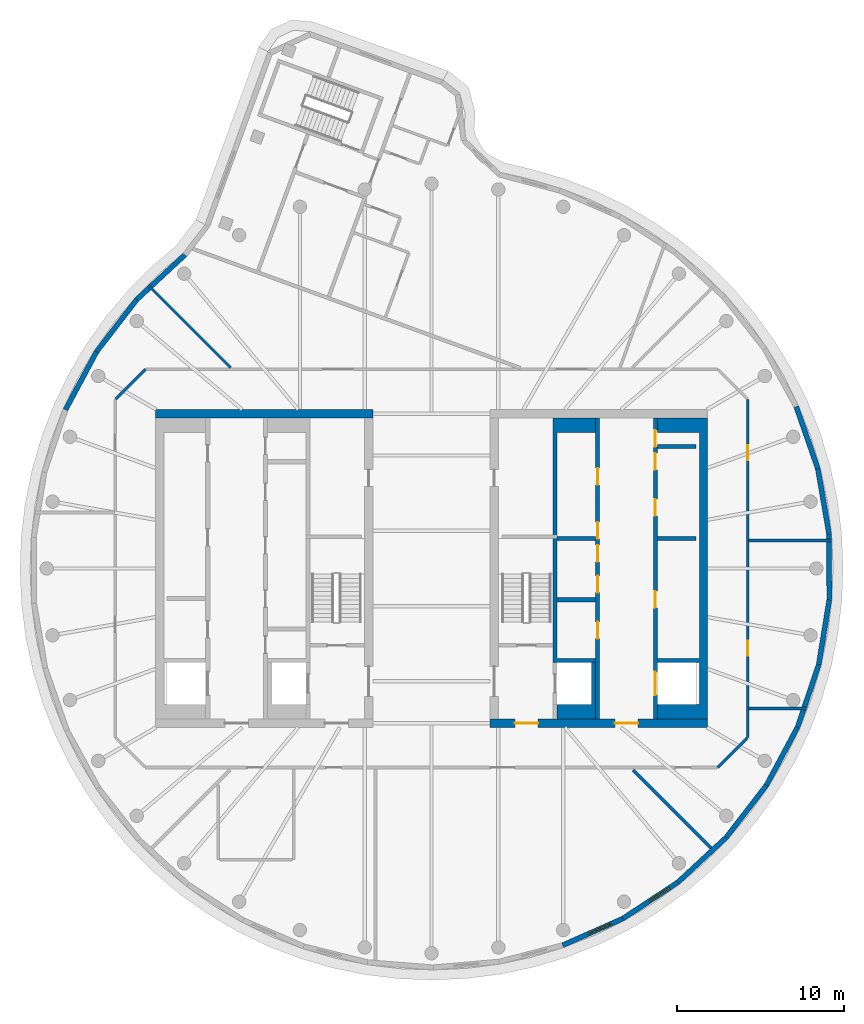
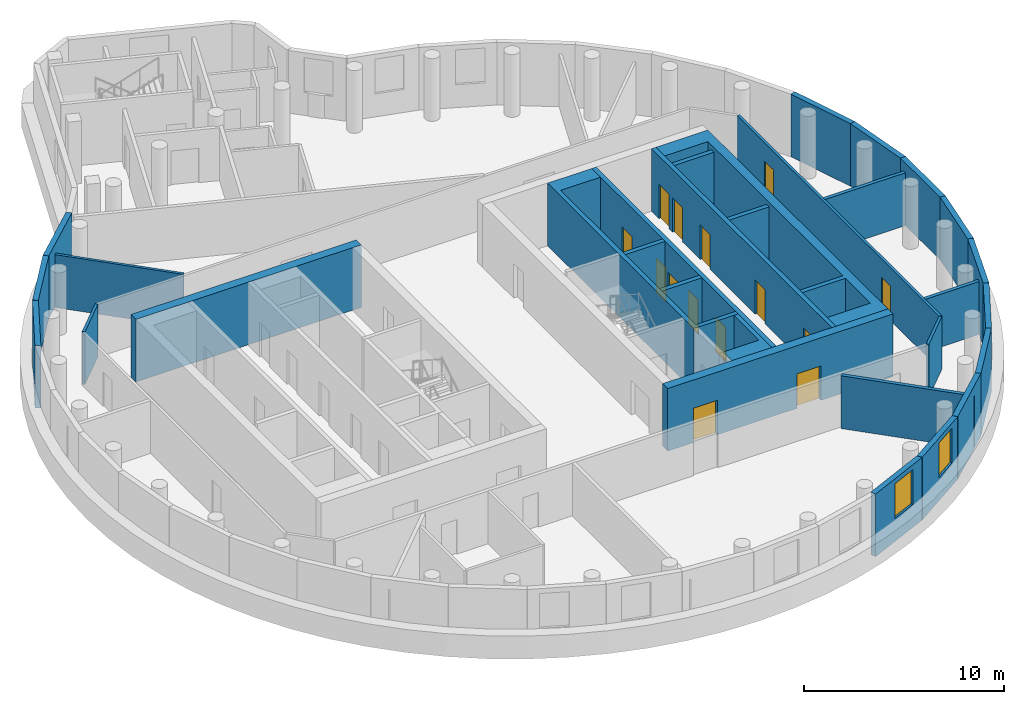
# One storey, part 4 of 7: 31 walls, 14 doors, 2 windows, 16 openings.
"""IFC4 building model written with IfcOpenShell, lengths in metres."""

from ifc_helpers import new_model, si_unit, direction, frame, frame_2d, origin, place, context, subcontext, project, spatial, polyline, rectangle, outline, extrude, material, layer, layer_set, type_object, element, fill, save


model = new_model("IFC4")

# Units and contexts
model_context = context("Model", 3, precision=1e-05, world=origin(), true_north=direction((0.0, 1.0)))
body_context = subcontext(model_context, "Body", "Model", "MODEL_VIEW")
ifc_project = project(units=[si_unit("LENGTHUNIT", "METRE"), si_unit("AREAUNIT", "SQUARE_METRE"), si_unit("VOLUMEUNIT", "CUBIC_METRE"), si_unit("PLANEANGLEUNIT", "RADIAN"), si_unit("MASSUNIT", "GRAM", prefix="KILO")], contexts=[model_context])

# Site, building, storey
site_placement = place(None, origin())
site = spatial("IfcSite", under=ifc_project, at=site_placement, CompositionType="ELEMENT")
building_placement = place(site_placement, origin())
building = spatial("IfcBuilding", under=site, at=building_placement, Name="Tamarind Cross Interchange Tower", CompositionType="ELEMENT")
storey_placement = place(building_placement, frame((0.0, 0.0, 321.39990234375)))
storey = spatial("IfcBuildingStorey", under=building, at=storey_placement, Name="L79", CompositionType="ELEMENT", Elevation=321.39990234375)

# Wall
ifc_material_1 = material(Name="Concrete C50", Category="concrete")
ifc_layer_1 = layer(ifc_material_1, 0.5)
ifc_layer_set_1 = layer_set([ifc_layer_1], Name="Concrete C50")
wall_type_1 = type_object("IfcWallType", Name="Core wall 500 mm Concrete C50", PredefinedType="SHEAR", material=ifc_layer_set_1)
wall_1_placement = place(storey_placement, frame((-16.5, 9.25, 0.0), z_axis=(0.0, 0.0, 1.0), x_axis=(1.0, 0.0, 0.0)))
element("IfcWall", 1, at=wall_1_placement, inside=storey, type_object=wall_type_1, Name="Core wall CWL-L79-W-NE", PredefinedType="SHEAR", context=body_context, shape_type="SweptSolid", body=[
    extrude(rectangle(XDim=13.0, YDim=0.5, at=frame_2d((6.5, 0.0))), origin(), (0.0, 0.0, 1.0), 3.820068359375),
])

# Wall, openings, doors
wall_2_placement = place(storey_placement, frame((16.5, -9.25, 0.0), z_axis=(0.0, 0.0, 1.0), x_axis=(-1.0, 0.0, 0.0)))
wall_2 = element("IfcWall", 2, at=wall_2_placement, inside=storey, type_object=wall_type_1, Name="Core wall CWL-L79-E-S", PredefinedType="SHEAR", context=body_context, shape_type="SweptSolid", body=[
    extrude(rectangle(XDim=13.0, YDim=0.5, at=frame_2d((6.5, 0.0))), origin(), (0.0, 0.0, 1.0), 3.820068359375),
])
opening_1_placement = place(wall_2_placement, frame((4.14990234375, 0.0, 0.0)))
opening_1 = element("IfcOpeningElement", 3, at=opening_1_placement, cuts=wall_2, Name="Opening DCE1", PredefinedType="OPENING", context=body_context, shape_type="SweptSolid", body=[
    extrude(rectangle(XDim=1.39990234375, YDim=2.10009765625, at=frame_2d((0.699951171875, 1.050048828125))), frame((0.0, 0.260009765625, 0.0), z_axis=(0.0, -1.0, 0.0), x_axis=(1.0, 0.0, 0.0)), (0.0, 0.0, 1.0), 0.52001953125),
])
opening_2_placement = place(wall_2_placement, frame((10.125, 0.0, 0.0)))
opening_2 = element("IfcOpeningElement", 4, at=opening_2_placement, cuts=wall_2, Name="Opening DCEF", PredefinedType="OPENING", context=body_context, shape_type="SweptSolid", body=[
    extrude(rectangle(XDim=1.39990234375, YDim=2.10009765625, at=frame_2d((0.699951171875, 1.050048828125))), frame((0.0, 0.260009765625, 0.0), z_axis=(0.0, -1.0, 0.0), x_axis=(1.0, 0.0, 0.0)), (0.0, 0.0, 1.0), 0.52001953125),
])
ifc_material_2 = material(Name="Steel, fire-resisting", Category="steel")
door_type_1 = type_object("IfcDoorType", Name="Core fire door 1400 x 2100 FD90", OperationType="SINGLE_SWING_LEFT", PredefinedType="DOOR", material=ifc_material_2)
door_1_placement = place(opening_1_placement, origin())
door_1 = element("IfcDoor", 5, at=door_1_placement, inside=storey, type_object=door_type_1, Name="L79 lift lobby door", OperationType="SINGLE_SWING_LEFT", OverallHeight=2.10009765625, OverallWidth=1.39990234375, PredefinedType="DOOR", context=body_context, shape_type="SweptSolid", body=[
    extrude(rectangle(XDim=1.39990234375, YDim=2.10009765625, at=frame_2d((0.699951171875, 1.050048828125))), frame((0.0, 0.02490234375, 0.0), z_axis=(0.0, -1.0, 0.0), x_axis=(1.0, 0.0, 0.0)), (0.0, 0.0, 1.0), 0.050048828125),
])
fill(opening_1, door_1)
door_2_placement = place(opening_2_placement, origin())
door_2 = element("IfcDoor", 6, at=door_2_placement, inside=storey, type_object=door_type_1, Name="L79 firefighting lobby end door", OperationType="SINGLE_SWING_LEFT", OverallHeight=2.10009765625, OverallWidth=1.39990234375, PredefinedType="DOOR", context=body_context, shape_type="SweptSolid", body=[
    extrude(rectangle(XDim=1.39990234375, YDim=2.10009765625, at=frame_2d((0.699951171875, 1.050048828125))), frame((0.0, 0.02490234375, 0.0), z_axis=(0.0, -1.0, 0.0), x_axis=(1.0, 0.0, 0.0)), (0.0, 0.0, 1.0), 0.050048828125),
])
fill(opening_2, door_2)

# Walls
wall_3_placement = place(storey_placement, origin())
element("IfcWall", 7, at=wall_3_placement, inside=storey, type_object=wall_type_1, Name="Core wall CWL-L79-E-A", PredefinedType="SHEAR", context=body_context, shape_type="SweptSolid", body=[
    extrude(outline(polyline([(13.5, -8.125), (13.5, -9.0), (16.0, -9.0), (16.5, -9.0), (16.5, 9.0), (16.0, 9.0), (13.5, 9.0), (13.5, 8.125), (16.0, 8.125), (16.0, -5.375), (13.5, -5.375), (13.5, -5.625), (16.0, -5.625), (16.0, -8.125), (13.5, -8.125)])), origin(), (0.0, 0.0, 1.0), 3.820068359375),
])
ifc_layer_2 = layer(ifc_material_1, 0.25)
ifc_layer_set_2 = layer_set([ifc_layer_2], Name="Concrete C50")
wall_type_2 = type_object("IfcWallType", Name="Core web wall 250 mm Concrete C50", PredefinedType="SHEAR", material=ifc_layer_set_2)
wall_4_placement = place(storey_placement, origin())
element("IfcWall", 8, at=wall_4_placement, inside=storey, type_object=wall_type_2, Name="Core wall CWL-L79-E-BN", PredefinedType="SHEAR", context=body_context, shape_type="SweptSolid", body=[
    extrude(outline(polyline([(9.800048828125, -5.625), (9.800048828125, -5.375), (7.5, -5.375), (7.5, 8.125), (9.800048828125, 8.125), (9.800048828125, 9.0), (7.5, 9.0), (7.25, 9.0), (7.25, -5.625), (7.5, -5.625), (9.800048828125, -5.625)])), origin(), (0.0, 0.0, 1.0), 3.820068359375),
])
wall_5_placement = place(storey_placement, origin())
element("IfcWall", 9, at=wall_5_placement, inside=storey, type_object=wall_type_2, Name="Core wall CWL-L79-E-BS", PredefinedType="SHEAR", context=body_context, shape_type="SweptSolid", body=[
    extrude(outline(polyline([(7.5, -8.125), (7.5, -9.0), (9.800048828125, -9.0), (9.800048828125, -8.125), (9.800048828125, -5.625), (9.550048828125, -5.625), (9.550048828125, -8.125), (7.5, -8.125)])), origin(), (0.0, 0.0, 1.0), 3.820068359375),
])

# Wall, openings, doors
wall_6_placement = place(storey_placement, frame((13.375, -9.0, 0.0), z_axis=(0.0, 0.0, 1.0), x_axis=(0.0, 1.0, 0.0)))
wall_6 = element("IfcWall", 10, at=wall_6_placement, inside=storey, type_object=wall_type_2, Name="Core wall CWL-L79-E-LA", PredefinedType="SHEAR", context=body_context, shape_type="SweptSolid", body=[
    extrude(rectangle(XDim=18.0, YDim=0.25, at=frame_2d((9.0, 0.0))), origin(), (0.0, 0.0, 1.0), 3.820068359375),
])
opening_3_placement = place(wall_6_placement, frame((1.425048828125, 0.0, 0.0)))
opening_3 = element("IfcOpeningElement", 11, at=opening_3_placement, cuts=wall_6, Name="Opening LD13L79", PredefinedType="OPENING", context=body_context, shape_type="SweptSolid", body=[
    extrude(rectangle(XDim=1.39990234375, YDim=2.10009765625, at=frame_2d((0.699951171875, 1.050048828125))), frame((0.0, 0.135009765625, 0.0), z_axis=(0.0, -1.0, 0.0), x_axis=(1.0, 0.0, 0.0)), (0.0, 0.0, 1.0), 0.27001953125),
])
opening_4_placement = place(wall_6_placement, frame((6.64599609375, 0.0, 0.0)))
opening_4 = element("IfcOpeningElement", 12, at=opening_4_placement, cuts=wall_6, Name="Opening DCE9", PredefinedType="OPENING", context=body_context, shape_type="SweptSolid", body=[
    extrude(rectangle(XDim=1.0, YDim=2.10009765625, at=frame_2d((0.5, 1.050048828125))), frame((0.0, 0.135009765625, 0.0), z_axis=(0.0, -1.0, 0.0), x_axis=(1.0, 0.0, 0.0)), (0.0, 0.0, 1.0), 0.27001953125),
])
opening_5_placement = place(wall_6_placement, frame((12.14599609375, 0.0, 0.0)))
opening_5 = element("IfcOpeningElement", 13, at=opening_5_placement, cuts=wall_6, Name="Opening DCE10", PredefinedType="OPENING", context=body_context, shape_type="SweptSolid", body=[
    extrude(rectangle(XDim=1.0, YDim=2.10009765625, at=frame_2d((0.5, 1.050048828125))), frame((0.0, 0.135009765625, 0.0), z_axis=(0.0, -1.0, 0.0), x_axis=(1.0, 0.0, 0.0)), (0.0, 0.0, 1.0), 0.27001953125),
])
opening_6_placement = place(wall_6_placement, frame((14.89599609375, 0.0, 0.0)))
opening_6 = element("IfcOpeningElement", 14, at=opening_6_placement, cuts=wall_6, Name="Opening DCE17", PredefinedType="OPENING", context=body_context, shape_type="SweptSolid", body=[
    extrude(rectangle(XDim=1.0, YDim=2.10009765625, at=frame_2d((0.5, 1.050048828125))), frame((0.0, 0.135009765625, 0.0), z_axis=(0.0, -1.0, 0.0), x_axis=(1.0, 0.0, 0.0)), (0.0, 0.0, 1.0), 0.27001953125),
])
opening_7_placement = place(wall_6_placement, frame((16.27099609375, 0.0, 0.0)))
opening_7 = element("IfcOpeningElement", 15, at=opening_7_placement, cuts=wall_6, Name="Opening DCE18", PredefinedType="OPENING", context=body_context, shape_type="SweptSolid", body=[
    extrude(rectangle(XDim=1.0, YDim=2.10009765625, at=frame_2d((0.5, 1.050048828125))), frame((0.0, 0.135009765625, 0.0), z_axis=(0.0, -1.0, 0.0), x_axis=(1.0, 0.0, 0.0)), (0.0, 0.0, 1.0), 0.27001953125),
])
door_type_2 = type_object("IfcDoorType", Name="Core fire door 1000 x 2100 FD90", OperationType="SINGLE_SWING_LEFT", PredefinedType="DOOR", material=ifc_material_2)
door_3_placement = place(opening_4_placement, origin())
door_3 = element("IfcDoor", 16, at=door_3_placement, inside=storey, type_object=door_type_2, Name="L79 Battery room door", OperationType="SINGLE_SWING_LEFT", OverallHeight=2.10009765625, OverallWidth=1.0, PredefinedType="DOOR", context=body_context, shape_type="SweptSolid", body=[
    extrude(rectangle(XDim=1.0, YDim=2.10009765625, at=frame_2d((0.5, 1.050048828125))), frame((0.0, 0.02490234375, 0.0), z_axis=(0.0, -1.0, 0.0), x_axis=(1.0, 0.0, 0.0)), (0.0, 0.0, 1.0), 0.050048828125),
])
fill(opening_4, door_3)
door_4_placement = place(opening_5_placement, origin())
door_4 = element("IfcDoor", 17, at=door_4_placement, inside=storey, type_object=door_type_2, Name="L79 Switch room door", OperationType="SINGLE_SWING_LEFT", OverallHeight=2.10009765625, OverallWidth=1.0, PredefinedType="DOOR", context=body_context, shape_type="SweptSolid", body=[
    extrude(rectangle(XDim=1.0, YDim=2.10009765625, at=frame_2d((0.5, 1.050048828125))), frame((0.0, 0.02490234375, 0.0), z_axis=(0.0, -1.0, 0.0), x_axis=(1.0, 0.0, 0.0)), (0.0, 0.0, 1.0), 0.050048828125),
])
fill(opening_5, door_4)
door_5_placement = place(opening_6_placement, origin())
door_5 = element("IfcDoor", 18, at=door_5_placement, inside=storey, type_object=door_type_2, Name="L79 Storage room door", OperationType="SINGLE_SWING_LEFT", OverallHeight=2.10009765625, OverallWidth=1.0, PredefinedType="DOOR", context=body_context, shape_type="SweptSolid", body=[
    extrude(rectangle(XDim=1.0, YDim=2.10009765625, at=frame_2d((0.5, 1.050048828125))), frame((0.0, 0.02490234375, 0.0), z_axis=(0.0, -1.0, 0.0), x_axis=(1.0, 0.0, 0.0)), (0.0, 0.0, 1.0), 0.050048828125),
])
fill(opening_6, door_5)
door_6_placement = place(opening_7_placement, origin())
door_6 = element("IfcDoor", 19, at=door_6_placement, inside=storey, type_object=door_type_2, Name="L79 Battery room door", OperationType="SINGLE_SWING_LEFT", OverallHeight=2.10009765625, OverallWidth=1.0, PredefinedType="DOOR", context=body_context, shape_type="SweptSolid", body=[
    extrude(rectangle(XDim=1.0, YDim=2.10009765625, at=frame_2d((0.5, 1.050048828125))), frame((0.0, 0.02490234375, 0.0), z_axis=(0.0, -1.0, 0.0), x_axis=(1.0, 0.0, 0.0)), (0.0, 0.0, 1.0), 0.050048828125),
])
fill(opening_7, door_6)
ifc_material_3 = material(Name="Stainless steel panel", Category="steel")
door_type_3 = type_object("IfcDoorType", Name="Lift landing door 1400 x 2100 E 120", OperationType="SLIDING_TO_LEFT", PredefinedType="DOOR", material=ifc_material_3)
door_7_placement = place(opening_3_placement, origin())
door_7 = element("IfcDoor", 20, at=door_7_placement, inside=storey, type_object=door_type_3, Name="L79 landing door LF13", OperationType="SLIDING_TO_LEFT", OverallHeight=2.10009765625, OverallWidth=1.39990234375, PredefinedType="DOOR", context=body_context, shape_type="SweptSolid", body=[
    extrude(rectangle(XDim=1.39990234375, YDim=2.10009765625, at=frame_2d((0.699951171875, 1.050048828125))), frame((0.0, 0.02490234375, 0.0), z_axis=(0.0, -1.0, 0.0), x_axis=(1.0, 0.0, 0.0)), (0.0, 0.0, 1.0), 0.050048828125),
])
fill(opening_3, door_7)

wall_7_placement = place(storey_placement, frame((9.925048828125, -9.0, 0.0), z_axis=(0.0, 0.0, 1.0), x_axis=(0.0, 1.0, 0.0)))
wall_7 = element("IfcWall", 21, at=wall_7_placement, inside=storey, type_object=wall_type_2, Name="Core wall CWL-L79-E-LB", PredefinedType="SHEAR", context=body_context, shape_type="SweptSolid", body=[
    extrude(rectangle(XDim=18.0, YDim=0.25, at=frame_2d((9.0, 0.0))), origin(), (0.0, 0.0, 1.0), 3.820068359375),
])
opening_8_placement = place(wall_7_placement, frame((4.8125, 0.0, 0.0)))
opening_8 = element("IfcOpeningElement", 22, at=opening_8_placement, cuts=wall_7, Name="Opening DCE21", PredefinedType="OPENING", context=body_context, shape_type="SweptSolid", body=[
    extrude(rectangle(XDim=1.0, YDim=2.10009765625, at=frame_2d((0.5, 1.050048828125))), frame((0.0, 0.135009765625, 0.0), z_axis=(0.0, -1.0, 0.0), x_axis=(1.0, 0.0, 0.0)), (0.0, 0.0, 1.0), 0.27001953125),
])
opening_9_placement = place(wall_7_placement, frame((7.5625, 0.0, 0.0)))
opening_9 = element("IfcOpeningElement", 23, at=opening_9_placement, cuts=wall_7, Name="Opening DCE22", PredefinedType="OPENING", context=body_context, shape_type="SweptSolid", body=[
    extrude(rectangle(XDim=1.0, YDim=2.10009765625, at=frame_2d((0.5, 1.050048828125))), frame((0.0, 0.135009765625, 0.0), z_axis=(0.0, -1.0, 0.0), x_axis=(1.0, 0.0, 0.0)), (0.0, 0.0, 1.0), 0.27001953125),
])
opening_10_placement = place(wall_7_placement, frame((9.39599609375, 0.0, 0.0)))
opening_10 = element("IfcOpeningElement", 24, at=opening_10_placement, cuts=wall_7, Name="Opening DCE21", PredefinedType="OPENING", context=body_context, shape_type="SweptSolid", body=[
    extrude(rectangle(XDim=1.0, YDim=2.10009765625, at=frame_2d((0.5, 1.050048828125))), frame((0.0, 0.135009765625, 0.0), z_axis=(0.0, -1.0, 0.0), x_axis=(1.0, 0.0, 0.0)), (0.0, 0.0, 1.0), 0.27001953125),
])
opening_11_placement = place(wall_7_placement, frame((10.77099609375, 0.0, 0.0)))
opening_11 = element("IfcOpeningElement", 25, at=opening_11_placement, cuts=wall_7, Name="Opening DCE22", PredefinedType="OPENING", context=body_context, shape_type="SweptSolid", body=[
    extrude(rectangle(XDim=1.0, YDim=2.10009765625, at=frame_2d((0.5, 1.050048828125))), frame((0.0, 0.135009765625, 0.0), z_axis=(0.0, -1.0, 0.0), x_axis=(1.0, 0.0, 0.0)), (0.0, 0.0, 1.0), 0.27001953125),
])
opening_12_placement = place(wall_7_placement, frame((14.0, 0.0, 0.0)))
opening_12 = element("IfcOpeningElement", 26, at=opening_12_placement, cuts=wall_7, Name="Opening DCE21", PredefinedType="OPENING", context=body_context, shape_type="SweptSolid", body=[
    extrude(rectangle(XDim=1.0, YDim=2.10009765625, at=frame_2d((0.5, 1.050048828125))), frame((0.0, 0.135009765625, 0.0), z_axis=(0.0, -1.0, 0.0), x_axis=(1.0, 0.0, 0.0)), (0.0, 0.0, 1.0), 0.27001953125),
])
door_8_placement = place(opening_8_placement, origin())
door_8 = element("IfcDoor", 27, at=door_8_placement, inside=storey, type_object=door_type_2, Name="L79 Pump room door", OperationType="SINGLE_SWING_LEFT", OverallHeight=2.10009765625, OverallWidth=1.0, PredefinedType="DOOR", context=body_context, shape_type="SweptSolid", body=[
    extrude(rectangle(XDim=1.0, YDim=2.10009765625, at=frame_2d((0.5, 1.050048828125))), frame((0.0, 0.02490234375, 0.0), z_axis=(0.0, -1.0, 0.0), x_axis=(1.0, 0.0, 0.0)), (0.0, 0.0, 1.0), 0.050048828125),
])
fill(opening_8, door_8)
door_9_placement = place(opening_9_placement, origin())
door_9 = element("IfcDoor", 28, at=door_9_placement, inside=storey, type_object=door_type_2, Name="L79 Plant room door", OperationType="SINGLE_SWING_LEFT", OverallHeight=2.10009765625, OverallWidth=1.0, PredefinedType="DOOR", context=body_context, shape_type="SweptSolid", body=[
    extrude(rectangle(XDim=1.0, YDim=2.10009765625, at=frame_2d((0.5, 1.050048828125))), frame((0.0, 0.02490234375, 0.0), z_axis=(0.0, -1.0, 0.0), x_axis=(1.0, 0.0, 0.0)), (0.0, 0.0, 1.0), 0.050048828125),
])
fill(opening_9, door_9)
door_10_placement = place(opening_10_placement, origin())
door_10 = element("IfcDoor", 29, at=door_10_placement, inside=storey, type_object=door_type_2, Name="L79 Plant room door", OperationType="SINGLE_SWING_LEFT", OverallHeight=2.10009765625, OverallWidth=1.0, PredefinedType="DOOR", context=body_context, shape_type="SweptSolid", body=[
    extrude(rectangle(XDim=1.0, YDim=2.10009765625, at=frame_2d((0.5, 1.050048828125))), frame((0.0, 0.02490234375, 0.0), z_axis=(0.0, -1.0, 0.0), x_axis=(1.0, 0.0, 0.0)), (0.0, 0.0, 1.0), 0.050048828125),
])
fill(opening_10, door_10)
door_11_placement = place(opening_11_placement, origin())
door_11 = element("IfcDoor", 30, at=door_11_placement, inside=storey, type_object=door_type_2, Name="L79 Storage room door", OperationType="SINGLE_SWING_LEFT", OverallHeight=2.10009765625, OverallWidth=1.0, PredefinedType="DOOR", context=body_context, shape_type="SweptSolid", body=[
    extrude(rectangle(XDim=1.0, YDim=2.10009765625, at=frame_2d((0.5, 1.050048828125))), frame((0.0, 0.02490234375, 0.0), z_axis=(0.0, -1.0, 0.0), x_axis=(1.0, 0.0, 0.0)), (0.0, 0.0, 1.0), 0.050048828125),
])
fill(opening_11, door_11)
door_12_placement = place(opening_12_placement, origin())
door_12 = element("IfcDoor", 31, at=door_12_placement, inside=storey, type_object=door_type_2, Name="L79 Switch room door", OperationType="SINGLE_SWING_LEFT", OverallHeight=2.10009765625, OverallWidth=1.0, PredefinedType="DOOR", context=body_context, shape_type="SweptSolid", body=[
    extrude(rectangle(XDim=1.0, YDim=2.10009765625, at=frame_2d((0.5, 1.050048828125))), frame((0.0, 0.02490234375, 0.0), z_axis=(0.0, -1.0, 0.0), x_axis=(1.0, 0.0, 0.0)), (0.0, 0.0, 1.0), 0.050048828125),
])
fill(opening_12, door_12)

# Walls
ifc_material_4 = material(Name="Gypsum board partition on steel studs", Category="steel")
ifc_layer_3 = layer(ifc_material_4, 0.14990234375)
ifc_layer_set_3 = layer_set([ifc_layer_3], Name="Gypsum board partition on steel studs")
wall_type_3 = type_object("IfcWallType", Name="Partition 150 mm EI 120", PredefinedType="PARTITIONING", material=ifc_layer_set_3)
wall_8_placement = place(storey_placement, frame((-16.921142578125, 16.921142578125, 0.0), z_axis=(0.0, 0.0, 1.0), x_axis=(0.707106781187, -0.707106781187, 0.0)))
element("IfcWall", 32, at=wall_8_placement, inside=storey, type_object=wall_type_3, Name="Partition L79-002", PredefinedType="PARTITIONING", context=body_context, shape_type="SweptSolid", body=[
    extrude(rectangle(XDim=6.946044921875, YDim=0.14990234375, at=frame_2d((3.47314453125, 0.0))), origin(), (0.0, 0.0, 1.0), 3.22021484375),
])
for number, where, z_axis, x_axis, name in (
    (33, (-18.87158203125, 10.12841796875, 0.0), (0.0, 0.0, 1.0), (0.707106781187, 0.707106781187, 0.0), "Partition L79-018"),
    (34, (17.10009765625, -11.89990234375, 0.0), (0.0, 0.0, 1.0), (0.707106781187, 0.707106781187, 0.0), "Partition L79-021"),
):
    element("IfcWall", number, at=place(storey_placement, frame(where, z_axis=z_axis, x_axis=x_axis)), inside=storey, type_object=wall_type_3, Name=name, PredefinedType="PARTITIONING", context=body_context, shape_type="SweptSolid", body=[
        extrude(rectangle(XDim=2.50537109375, YDim=0.14990234375, at=frame_2d((1.252685546875, 0.0))), origin(), (0.0, 0.0, 1.0), 3.22021484375),
    ])

# Wall, openings, doors
wall_9_placement = place(storey_placement, frame((18.89990234375, -10.10009765625, 0.0), z_axis=(0.0, 0.0, 1.0), x_axis=(0.0, 1.0, 0.0)))
wall_9 = element("IfcWall", 35, at=wall_9_placement, inside=storey, type_object=wall_type_3, Name="Partition L79-035", PredefinedType="PARTITIONING", context=body_context, shape_type="SweptSolid", body=[
    extrude(rectangle(XDim=20.2001953125, YDim=0.14990234375, at=frame_2d((10.10009765625, 0.0))), origin(), (0.0, 0.0, 1.0), 3.22021484375),
])
opening_13_placement = place(wall_9_placement, frame((4.87890625, 0.0, 0.0)))
opening_13 = element("IfcOpeningElement", 36, at=opening_13_placement, cuts=wall_9, Name="Opening D17", PredefinedType="OPENING", context=body_context, shape_type="SweptSolid", body=[
    extrude(rectangle(XDim=0.89990234375, YDim=2.10009765625, at=frame_2d((0.449951171875, 1.050048828125))), frame((0.0, 0.0849609375, 0.0), z_axis=(0.0, -1.0, 0.0), x_axis=(1.0, 0.0, 0.0)), (0.0, 0.0, 1.0), 0.169921875),
])
opening_14_placement = place(wall_9_placement, frame((16.573974609375, 0.0, 0.0)))
opening_14 = element("IfcOpeningElement", 37, at=opening_14_placement, cuts=wall_9, Name="Opening D18", PredefinedType="OPENING", context=body_context, shape_type="SweptSolid", body=[
    extrude(rectangle(XDim=0.89990234375, YDim=2.10009765625, at=frame_2d((0.449951171875, 1.050048828125))), frame((0.0, 0.0849609375, 0.0), z_axis=(0.0, -1.0, 0.0), x_axis=(1.0, 0.0, 0.0)), (0.0, 0.0, 1.0), 0.169921875),
])
ifc_material_5 = material(Name="Fire-resisting door set")
door_type_4 = type_object("IfcDoorType", Name="Interior door 900 x 2100 FD60S", OperationType="SINGLE_SWING_LEFT", PredefinedType="DOOR", material=ifc_material_5)
door_13_placement = place(opening_13_placement, frame((0.89990234375, 0.0, 0.0), z_axis=(0.0, 0.0, 1.0), x_axis=(-1.0, 0.0, 0.0)))
door_13 = element("IfcDoor", 38, at=door_13_placement, inside=storey, type_object=door_type_4, Name="Door D17", OperationType="SINGLE_SWING_LEFT", OverallHeight=2.10009765625, OverallWidth=0.89990234375, PredefinedType="DOOR", context=body_context, shape_type="SweptSolid", body=[
    extrude(rectangle(XDim=0.89990234375, YDim=2.10009765625, at=frame_2d((0.449951171875, 1.050048828125))), frame((0.0, 0.02490234375, 0.0), z_axis=(0.0, -1.0, 0.0), x_axis=(1.0, 0.0, 0.0)), (0.0, 0.0, 1.0), 0.050048828125),
])
fill(opening_13, door_13)
door_14_placement = place(opening_14_placement, frame((0.89990234375, 0.0, 0.0), z_axis=(0.0, 0.0, 1.0), x_axis=(-1.0, 0.0, 0.0)))
door_14 = element("IfcDoor", 39, at=door_14_placement, inside=storey, type_object=door_type_4, Name="Door D18", OperationType="SINGLE_SWING_RIGHT", OverallHeight=2.10009765625, OverallWidth=0.89990234375, PredefinedType="DOOR", context=body_context, shape_type="SweptSolid", body=[
    extrude(rectangle(XDim=0.89990234375, YDim=2.10009765625, at=frame_2d((0.449951171875, 1.050048828125))), frame((0.0, 0.02490234375, 0.0), z_axis=(0.0, -1.0, 0.0), x_axis=(1.0, 0.0, 0.0)), (0.0, 0.0, 1.0), 0.050048828125),
])
fill(opening_14, door_14)

# Walls
ifc_layer_4 = layer(ifc_material_4, 0.199951171875)
ifc_layer_set_4 = layer_set([ifc_layer_4], Name="Gypsum board partition on steel studs")
wall_type_4 = type_object("IfcWallType", Name="Partition 200 mm EI 180", PredefinedType="PARTITIONING", material=ifc_layer_set_4)
wall_10_placement = place(storey_placement, frame((12.052001953125, -12.052001953125, 0.0), z_axis=(0.0, 0.0, 1.0), x_axis=(0.707106781187, -0.707106781187, 0.0)))
element("IfcWall", 40, at=wall_10_placement, inside=storey, type_object=wall_type_4, Name="Partition L79-003", PredefinedType="PARTITIONING", context=body_context, shape_type="SweptSolid", body=[
    extrude(rectangle(XDim=6.8857421875, YDim=0.199951171875, at=frame_2d((3.44287109375, 0.0))), origin(), (0.0, 0.0, 1.0), 3.22021484375),
])
wall_11_placement = place(storey_placement, frame((18.955078125, -8.37109375, 0.0), z_axis=(0.0, 0.0, 1.0), x_axis=(1.0, 0.0, 0.0)))
element("IfcWall", 41, at=wall_11_placement, inside=storey, type_object=wall_type_4, Name="Partition L79-016", PredefinedType="PARTITIONING", context=body_context, shape_type="SweptSolid", body=[
    extrude(rectangle(XDim=3.45751953125, YDim=0.199951171875, at=frame_2d((1.728759765625, 0.0))), origin(), (0.0, 0.0, 1.0), 3.22021484375),
])
wall_12_placement = place(storey_placement, frame((18.955078125, 1.674072265625, 0.0), z_axis=(0.0, 0.0, 1.0), x_axis=(1.0, 0.0, 0.0)))
element("IfcWall", 42, at=wall_12_placement, inside=storey, type_object=wall_type_4, Name="Partition L79-017", PredefinedType="PARTITIONING", context=body_context, shape_type="SweptSolid", body=[
    extrude(rectangle(XDim=4.951416015625, YDim=0.199951171875, at=frame_2d((2.4755859375, 0.0))), origin(), (0.0, 0.0, 1.0), 3.22021484375),
])
ifc_material_6 = material(Name="Precast concrete C40", Category="concrete")
ifc_layer_5 = layer(ifc_material_6, 0.300048828125)
ifc_layer_set_5 = layer_set([ifc_layer_5], Name="Precast concrete C40")
wall_type_5 = type_object("IfcWallType", Name="Plant louvre wall", PredefinedType="SOLIDWALL", material=ifc_layer_set_5)
wall_13_placement = place(storey_placement, frame((-14.738525390625, 18.7451171875, 0.0), z_axis=(0.0, 0.0, 1.0), x_axis=(-0.73266715928, -0.680587124263, 0.0)))
element("IfcWall", 43, at=wall_13_placement, inside=storey, type_object=wall_type_5, Name="EXW-L79-02-01", PredefinedType="SOLIDWALL", context=body_context, shape_type="SweptSolid", body=[
    extrude(rectangle(XDim=3.923583984375, YDim=0.300048828125, at=frame_2d((1.9619140625, 0.0))), origin(), (0.0, 0.0, 1.0), 3.820068359375),
])
for number, where, z_axis, x_axis, name in (
    (44, (-17.61328125, 16.07470703125, 0.0), (0.0, 0.0, 1.0), (-0.610785688376, -0.79179596038, 0.0), "EXW-L79-02-02"),
    (45, (-20.018798828125, 12.956298828125, 0.0), (0.0, 0.0, 1.0), (-0.472180126088, -0.881502086513, 0.0), "EXW-L79-02-03"),
):
    element("IfcWall", number, at=place(storey_placement, frame(where, z_axis=z_axis, x_axis=x_axis)), inside=storey, type_object=wall_type_5, Name=name, PredefinedType="SOLIDWALL", context=body_context, shape_type="SweptSolid", body=[
        extrude(rectangle(XDim=3.9384765625, YDim=0.300048828125, at=frame_2d((1.96923828125, 0.0))), origin(), (0.0, 0.0, 1.0), 3.820068359375),
    ])

# Wall, opening, window
wall_14_placement = place(storey_placement, frame((7.839599609375, -22.520263671875, 0.0), z_axis=(0.0, 0.0, 1.0), x_axis=(0.91404912862, 0.405603489221, 0.0)))
wall_14 = element("IfcWall", 46, at=wall_14_placement, inside=storey, type_object=wall_type_5, Name="EXW-L79-02-18", PredefinedType="SOLIDWALL", context=body_context, shape_type="SweptSolid", body=[
    extrude(rectangle(XDim=3.9384765625, YDim=0.300048828125, at=frame_2d((1.96923828125, 0.0))), origin(), (0.0, 0.0, 1.0), 3.820068359375),
])
opening_15_placement = place(wall_14_placement, frame((1.642578125, 0.0, 1.39990234375)))
opening_15 = element("IfcOpeningElement", 47, at=opening_15_placement, cuts=wall_14, Name="Opening W2", PredefinedType="OPENING", context=body_context, shape_type="SweptSolid", body=[
    extrude(rectangle(XDim=1.508544921875, YDim=2.1201171875, at=frame_2d((0.75439453125, 1.06005859375))), frame((0.0, 0.159912109375, 0.0), z_axis=(0.0, -1.0, 0.0), x_axis=(1.0, 0.0, 0.0)), (0.0, 0.0, 1.0), 0.320068359375),
])
ifc_material_7 = material(Name="Aluminium louvre", Category="aluminium")
window_type = type_object("IfcWindowType", Name="Plant louvre bank", PartitioningType="SINGLE_PANEL", PredefinedType="WINDOW", material=ifc_material_7)
window_1_placement = place(opening_15_placement, origin())
window_1 = element("IfcWindow", 48, at=window_1_placement, inside=storey, type_object=window_type, Name="WIN-L79-02-18", OverallHeight=2.1201171875, OverallWidth=1.508544921875, PartitioningType="SINGLE_PANEL", PredefinedType="WINDOW", context=body_context, shape_type="SweptSolid", body=[
    extrude(rectangle(XDim=1.508544921875, YDim=2.1201171875, at=frame_2d((0.75439453125, 1.06005859375))), frame((0.0, 0.030029296875, 0.0), z_axis=(0.0, -1.0, 0.0), x_axis=(1.0, 0.0, 0.0)), (0.0, 0.0, 1.0), 0.06005859375),
])
fill(opening_15, window_1)

wall_15_placement = place(storey_placement, frame((11.439453125, -20.9228515625, 0.0), z_axis=(0.0, 0.0, 1.0), x_axis=(0.834786621205, 0.550573607302, 0.0)))
wall_15 = element("IfcWall", 49, at=wall_15_placement, inside=storey, type_object=wall_type_5, Name="EXW-L79-02-19", PredefinedType="SOLIDWALL", context=body_context, shape_type="SweptSolid", body=[
    extrude(rectangle(XDim=3.9384765625, YDim=0.300048828125, at=frame_2d((1.96923828125, 0.0))), origin(), (0.0, 0.0, 1.0), 3.820068359375),
])
opening_16_placement = place(wall_15_placement, frame((1.853271484375, 0.0, 1.39990234375)))
opening_16 = element("IfcOpeningElement", 50, at=opening_16_placement, cuts=wall_15, Name="Opening W2", PredefinedType="OPENING", context=body_context, shape_type="SweptSolid", body=[
    extrude(rectangle(XDim=1.485107421875, YDim=2.1201171875, at=frame_2d((0.74267578125, 1.06005859375))), frame((0.0, 0.159912109375, 0.0), z_axis=(0.0, -1.0, 0.0), x_axis=(1.0, 0.0, 0.0)), (0.0, 0.0, 1.0), 0.320068359375),
])
window_2_placement = place(opening_16_placement, origin())
window_2 = element("IfcWindow", 51, at=window_2_placement, inside=storey, type_object=window_type, Name="WIN-L79-02-19", OverallHeight=2.1201171875, OverallWidth=1.485107421875, PartitioningType="SINGLE_PANEL", PredefinedType="WINDOW", context=body_context, shape_type="SweptSolid", body=[
    extrude(rectangle(XDim=1.485107421875, YDim=2.1201171875, at=frame_2d((0.74267578125, 1.06005859375))), frame((0.0, 0.030029296875, 0.0), z_axis=(0.0, -1.0, 0.0), x_axis=(1.0, 0.0, 0.0)), (0.0, 0.0, 1.0), 0.06005859375),
])
fill(opening_16, window_2)

# Walls
wall_16_placement = place(storey_placement, frame((14.727294921875, -18.75439453125, 0.0), z_axis=(0.0, 0.0, 1.0), x_axis=(0.732813362883, 0.680429698926, 0.0)))
element("IfcWall", 52, at=wall_16_placement, inside=storey, type_object=wall_type_5, Name="EXW-L79-02-20", PredefinedType="SOLIDWALL", context=body_context, shape_type="SweptSolid", body=[
    extrude(rectangle(XDim=3.938232421875, YDim=0.300048828125, at=frame_2d((1.96923828125, 0.0))), origin(), (0.0, 0.0, 1.0), 3.820068359375),
])
for number, where, z_axis, x_axis, name in (
    (53, (17.61328125, -16.07470703125, 0.0), (0.0, 0.0, 1.0), (0.610785688376, 0.79179596038, 0.0), "EXW-L79-02-21"),
    (54, (20.018798828125, -12.956298828125, 0.0), (0.0, 0.0, 1.0), (0.472180126088, 0.881502086513, 0.0), "EXW-L79-02-22"),
    (55, (21.87841796875, -9.484619140625, 0.0), (0.0, 0.0, 1.0), (0.320613287718, 0.947210177172, 0.0), "EXW-L79-02-23"),
):
    element("IfcWall", number, at=place(storey_placement, frame(where, z_axis=z_axis, x_axis=x_axis)), inside=storey, type_object=wall_type_5, Name=name, PredefinedType="SOLIDWALL", context=body_context, shape_type="SweptSolid", body=[
        extrude(rectangle(XDim=3.9384765625, YDim=0.300048828125, at=frame_2d((1.96923828125, 0.0))), origin(), (0.0, 0.0, 1.0), 3.820068359375),
    ])
wall_17_placement = place(storey_placement, frame((23.14111328125, -5.754150390625, 0.0), z_axis=(0.0, 0.0, 1.0), x_axis=(0.160376439891, 0.987055924215, 0.0)))
element("IfcWall", 56, at=wall_17_placement, inside=storey, type_object=wall_type_5, Name="EXW-L79-02-24", PredefinedType="SOLIDWALL", context=body_context, shape_type="SweptSolid", body=[
    extrude(rectangle(XDim=3.938232421875, YDim=0.300048828125, at=frame_2d((1.96923828125, 0.0))), origin(), (0.0, 0.0, 1.0), 3.820068359375),
])
wall_18_placement = place(storey_placement, frame((23.772705078125, -1.866943359375, 0.0), z_axis=(0.0, 0.0, 1.0), x_axis=(-0.004339160737, 0.999990585798, 0.0)))
element("IfcWall", 57, at=wall_18_placement, inside=storey, type_object=wall_type_5, Name="EXW-L79-02-25", PredefinedType="SOLIDWALL", context=body_context, shape_type="SweptSolid", body=[
    extrude(rectangle(XDim=3.9384765625, YDim=0.300048828125, at=frame_2d((1.96923828125, 0.0))), origin(), (0.0, 0.0, 1.0), 3.820068359375),
])
wall_19_placement = place(storey_placement, frame((23.755615234375, 2.071533203125, 0.0), z_axis=(0.0, 0.0, 1.0), x_axis=(-0.168810670753, 0.985648495885, 0.0)))
element("IfcWall", 58, at=wall_19_placement, inside=storey, type_object=wall_type_5, Name="EXW-L79-02-26", PredefinedType="SOLIDWALL", context=body_context, shape_type="SweptSolid", body=[
    extrude(rectangle(XDim=3.93798828125, YDim=0.300048828125, at=frame_2d((1.968994140625, 0.0))), origin(), (0.0, 0.0, 1.0), 3.820068359375),
])
wall_20_placement = place(storey_placement, frame((23.0908203125, 5.953125, 0.0), z_axis=(0.0, 0.0, 1.0), x_axis=(-0.328789892836, 0.944403095277, 0.0)))
element("IfcWall", 59, at=wall_20_placement, inside=storey, type_object=wall_type_5, Name="EXW-L79-02-27", PredefinedType="SOLIDWALL", context=body_context, shape_type="SweptSolid", body=[
    extrude(rectangle(XDim=3.9384765625, YDim=0.300048828125, at=frame_2d((1.96923828125, 0.0))), origin(), (0.0, 0.0, 1.0), 3.820068359375),
])
ifc_material_8 = material(Name="Concrete C40", Category="concrete")
ifc_layer_6 = layer(ifc_material_8, 0.25)
ifc_layer_set_6 = layer_set([ifc_layer_6], Name="Concrete C40")
wall_type_6 = type_object("IfcWallType", Name="Shaft and lobby wall 250 mm Concrete C40", PredefinedType="PARTITIONING", material=ifc_layer_set_6)
for number, where, z_axis, x_axis, name in (
    (60, (15.800048828125, 1.7919921875, 0.0), (0.0, 0.0, 1.0), (-1.0, 0.0, 0.0), "Shaft wall CWL-L79-E-FPA1"),
    (61, (15.800048828125, 7.2919921875, 0.0), (0.0, 0.0, 1.0), (-1.0, 0.0, 0.0), "Shaft wall CWL-L79-E-FPA5"),
    (62, (9.800048828125, -1.875, 0.0), (0.0, 0.0, 1.0), (-1.0, 0.0, 0.0), "Shaft wall CWL-L79-E-FPB1"),
    (63, (9.800048828125, 1.7919921875, 0.0), (0.0, 0.0, 1.0), (-1.0, 0.0, 0.0), "Shaft wall CWL-L79-E-FPB3"),
):
    element("IfcWall", number, at=place(storey_placement, frame(where, z_axis=z_axis, x_axis=x_axis)), inside=storey, type_object=wall_type_6, Name=name, PredefinedType="PARTITIONING", context=body_context, shape_type="SweptSolid", body=[
        extrude(rectangle(XDim=2.300048828125, YDim=0.25, at=frame_2d((1.14990234375, 0.0))), origin(), (0.0, 0.0, 1.0), 3.820068359375),
    ])

save(model, "model.ifc")
